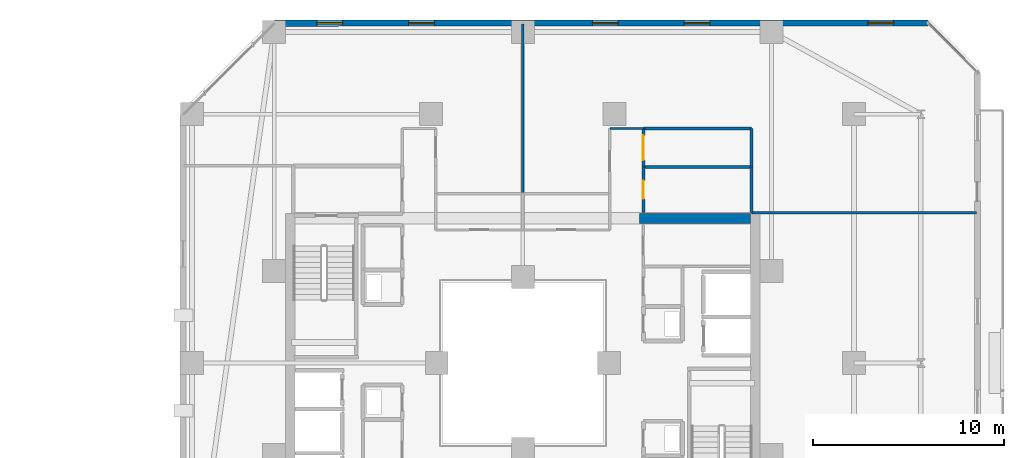
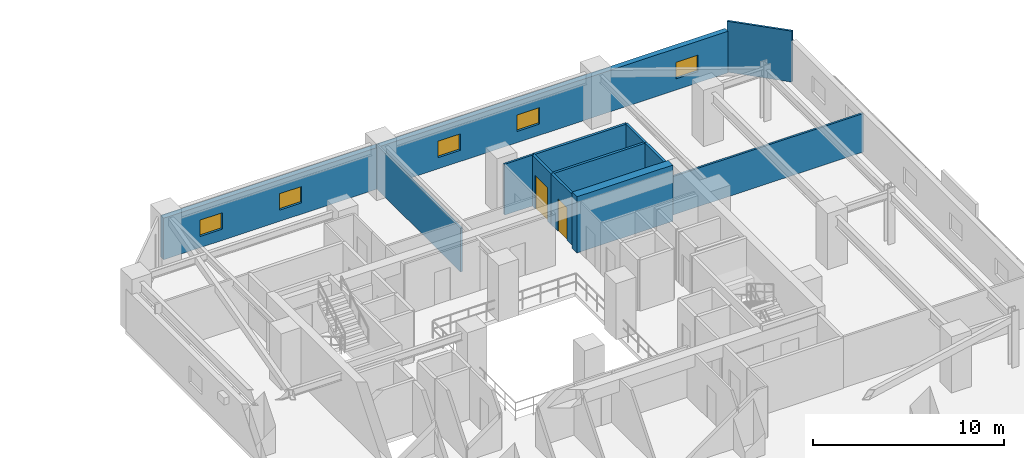
# One storey, part 25 of 34: 12 walls, 5 windows, 2 doors, 7 openings.
"""IFC4 building model written with IfcOpenShell, lengths in metres."""

from ifc_helpers import new_model, si_unit, direction, frame, frame_2d, origin, place, context, subcontext, project, spatial, rectangle, extrude, material, layer, layer_set, type_object, element, fill, save


model = new_model("IFC4")

# Units and contexts
model_context = context("Model", 3, precision=1e-05, world=origin(), true_north=direction((0.0, 1.0)))
body_context = subcontext(model_context, "Body", "Model", "MODEL_VIEW")
ifc_project = project(units=[si_unit("LENGTHUNIT", "METRE"), si_unit("AREAUNIT", "SQUARE_METRE"), si_unit("VOLUMEUNIT", "CUBIC_METRE"), si_unit("PLANEANGLEUNIT", "RADIAN"), si_unit("MASSUNIT", "GRAM", prefix="KILO")], contexts=[model_context])

# Site, building, storey
site_placement = place(None, origin())
site = spatial("IfcSite", under=ifc_project, at=site_placement, CompositionType="ELEMENT")
building_placement = place(site_placement, origin())
building = spatial("IfcBuilding", under=site, at=building_placement, Name="Thornwick Lancets Civic Towers", CompositionType="ELEMENT")
storey_placement = place(building_placement, frame((0.0, 0.0, 137.699951171875)))
storey = spatial("IfcBuildingStorey", under=building, at=storey_placement, Name="L36", CompositionType="ELEMENT", Elevation=137.699951171875)

# Wall
ifc_material_1 = material(Name="Concrete C50/60", Category="concrete")
ifc_layer_1 = layer(ifc_material_1, 0.5, Name="Concrete C50/60")
ifc_layer_set_1 = layer_set([ifc_layer_1], Name="Concrete C50/60")
wall_type_1 = type_object("IfcWallType", Name="WALL_CORE_500", PredefinedType="SHEAR", material=ifc_layer_set_1)
wall_1_placement = place(storey_placement, frame((94.60009765625, 34.550048828125, 0.0), z_axis=(0.0, 0.0, 1.0), x_axis=(1.0, 0.0, 0.0)))
element("IfcWall", 1, at=wall_1_placement, inside=storey, type_object=wall_type_1, Name="L36 Split Core B1 Shear Wall N", PredefinedType="SHEAR", context=body_context, shape_type="SweptSolid", body=[
    extrude(rectangle(XDim=5.7998046875, YDim=0.5, at=frame_2d((2.89990234375, 0.0))), origin(), (0.0, 0.0, 1.0), 3.60009765625),
])

# Wall, openings, windows
ifc_material_2 = material(Name="Insulated buff terracotta rainscreen on concrete C40/50", Category="masonry")
ifc_layer_2 = layer(ifc_material_2, 0.320068359375, Name="Insulated buff terracotta rainscreen on concrete C40/50")
ifc_layer_set_2 = layer_set([ifc_layer_2], Name="Insulated buff terracotta rainscreen on concrete C40/50")
wall_type_2 = type_object("IfcWallType", Name="WALL_EXT_TERRA_320", PredefinedType="STANDARD", material=ifc_layer_set_2)
wall_2_placement = place(storey_placement, frame((109.681396484375, 44.7646484375, 0.0), z_axis=(0.0, 0.0, 1.0), x_axis=(-0.99999997701, -0.000214431216, 0.0)))
wall_2 = element("IfcWall", 2, at=wall_2_placement, inside=storey, type_object=wall_type_2, Name="L36 Tower B Terracotta Facade Wall E4", PredefinedType="STANDARD", context=body_context, shape_type="SweptSolid", body=[
    extrude(rectangle(XDim=34.156494140625, YDim=0.320068359375, at=frame_2d((17.078125, 0.0))), origin(), (0.0, 0.0, 1.0), 2.66015625),
])
opening_1_placement = place(wall_2_placement, frame((1.800048828125, 0.0, 0.719970703125)))
opening_1 = element("IfcOpeningElement", 3, at=opening_1_placement, cuts=wall_2, Name="Opening WL-03", PredefinedType="OPENING", context=body_context, shape_type="SweptSolid", body=[
    extrude(rectangle(XDim=1.35009765625, YDim=1.050048828125, at=frame_2d((0.675048828125, 0.52490234375))), frame((0.0, 0.169921875, 0.0), z_axis=(0.0, -1.0, 0.0), x_axis=(1.0, 0.0, 0.0)), (0.0, 0.0, 1.0), 0.340087890625),
])
opening_2_placement = place(wall_2_placement, frame((11.39990234375, 0.0, 0.719970703125)))
opening_2 = element("IfcOpeningElement", 4, at=opening_2_placement, cuts=wall_2, Name="Opening WL-03", PredefinedType="OPENING", context=body_context, shape_type="SweptSolid", body=[
    extrude(rectangle(XDim=1.35009765625, YDim=1.050048828125, at=frame_2d((0.675048828125, 0.52490234375))), frame((0.0, 0.169921875, 0.0), z_axis=(0.0, -1.0, 0.0), x_axis=(1.0, 0.0, 0.0)), (0.0, 0.0, 1.0), 0.340087890625),
])
opening_3_placement = place(wall_2_placement, frame((16.199951171875, 0.0, 0.719970703125)))
opening_3 = element("IfcOpeningElement", 5, at=opening_3_placement, cuts=wall_2, Name="Opening WL-03", PredefinedType="OPENING", context=body_context, shape_type="SweptSolid", body=[
    extrude(rectangle(XDim=1.35009765625, YDim=1.050048828125, at=frame_2d((0.675048828125, 0.52490234375))), frame((0.0, 0.169921875, 0.0), z_axis=(0.0, -1.0, 0.0), x_axis=(1.0, 0.0, 0.0)), (0.0, 0.0, 1.0), 0.340087890625),
])
opening_4_placement = place(wall_2_placement, frame((25.800048828125, 0.0, 0.719970703125)))
opening_4 = element("IfcOpeningElement", 6, at=opening_4_placement, cuts=wall_2, Name="Opening WL-03", PredefinedType="OPENING", context=body_context, shape_type="SweptSolid", body=[
    extrude(rectangle(XDim=1.35009765625, YDim=1.050048828125, at=frame_2d((0.675048828125, 0.52490234375))), frame((0.0, 0.169921875, 0.0), z_axis=(0.0, -1.0, 0.0), x_axis=(1.0, 0.0, 0.0)), (0.0, 0.0, 1.0), 0.340087890625),
])
opening_5_placement = place(wall_2_placement, frame((30.60009765625, 0.0, 0.719970703125)))
opening_5 = element("IfcOpeningElement", 7, at=opening_5_placement, cuts=wall_2, Name="Opening WL-03", PredefinedType="OPENING", context=body_context, shape_type="SweptSolid", body=[
    extrude(rectangle(XDim=1.35009765625, YDim=1.050048828125, at=frame_2d((0.675048828125, 0.52490234375))), frame((0.0, 0.169921875, 0.0), z_axis=(0.0, -1.0, 0.0), x_axis=(1.0, 0.0, 0.0)), (0.0, 0.0, 1.0), 0.340087890625),
])
ifc_material_3 = material(Name="Clear low-e double glazing clerestory lancet", Category="glass")
window_type = type_object("IfcWindowType", Name="WIN_LANCET_1350", PartitioningType="SINGLE_PANEL", PredefinedType="WINDOW", material=ifc_material_3)
window_1_placement = place(opening_1_placement, origin())
window_1 = element("IfcWindow", 8, at=window_1_placement, inside=storey, type_object=window_type, Name="L36 Tower B Staggered Lancet Window E4-1", OverallHeight=1.050048828125, OverallWidth=1.35009765625, PartitioningType="SINGLE_PANEL", PredefinedType="WINDOW", context=body_context, shape_type="SweptSolid", body=[
    extrude(rectangle(XDim=1.35009765625, YDim=1.050048828125, at=frame_2d((0.675048828125, 0.52490234375))), frame((0.0, 0.030029296875, 0.0), z_axis=(0.0, -1.0, 0.0), x_axis=(1.0, 0.0, 0.0)), (0.0, 0.0, 1.0), 0.06005859375),
])
fill(opening_1, window_1)
window_2_placement = place(opening_2_placement, origin())
window_2 = element("IfcWindow", 9, at=window_2_placement, inside=storey, type_object=window_type, Name="L36 Tower B Staggered Lancet Window E4-2", OverallHeight=1.050048828125, OverallWidth=1.35009765625, PartitioningType="SINGLE_PANEL", PredefinedType="WINDOW", context=body_context, shape_type="SweptSolid", body=[
    extrude(rectangle(XDim=1.35009765625, YDim=1.050048828125, at=frame_2d((0.675048828125, 0.52490234375))), frame((0.0, 0.030029296875, 0.0), z_axis=(0.0, -1.0, 0.0), x_axis=(1.0, 0.0, 0.0)), (0.0, 0.0, 1.0), 0.06005859375),
])
fill(opening_2, window_2)
window_3_placement = place(opening_3_placement, origin())
window_3 = element("IfcWindow", 10, at=window_3_placement, inside=storey, type_object=window_type, Name="L36 Tower B Staggered Lancet Window E4-3", OverallHeight=1.050048828125, OverallWidth=1.35009765625, PartitioningType="SINGLE_PANEL", PredefinedType="WINDOW", context=body_context, shape_type="SweptSolid", body=[
    extrude(rectangle(XDim=1.35009765625, YDim=1.050048828125, at=frame_2d((0.675048828125, 0.52490234375))), frame((0.0, 0.030029296875, 0.0), z_axis=(0.0, -1.0, 0.0), x_axis=(1.0, 0.0, 0.0)), (0.0, 0.0, 1.0), 0.06005859375),
])
fill(opening_3, window_3)
window_4_placement = place(opening_4_placement, origin())
window_4 = element("IfcWindow", 11, at=window_4_placement, inside=storey, type_object=window_type, Name="L36 Tower B Staggered Lancet Window E4-4", OverallHeight=1.050048828125, OverallWidth=1.35009765625, PartitioningType="SINGLE_PANEL", PredefinedType="WINDOW", context=body_context, shape_type="SweptSolid", body=[
    extrude(rectangle(XDim=1.35009765625, YDim=1.050048828125, at=frame_2d((0.675048828125, 0.52490234375))), frame((0.0, 0.030029296875, 0.0), z_axis=(0.0, -1.0, 0.0), x_axis=(1.0, 0.0, 0.0)), (0.0, 0.0, 1.0), 0.06005859375),
])
fill(opening_4, window_4)
window_5_placement = place(opening_5_placement, origin())
window_5 = element("IfcWindow", 12, at=window_5_placement, inside=storey, type_object=window_type, Name="L36 Tower B Staggered Lancet Window E4-5", OverallHeight=1.050048828125, OverallWidth=1.35009765625, PartitioningType="SINGLE_PANEL", PredefinedType="WINDOW", context=body_context, shape_type="SweptSolid", body=[
    extrude(rectangle(XDim=1.35009765625, YDim=1.050048828125, at=frame_2d((0.675048828125, 0.52490234375))), frame((0.0, 0.030029296875, 0.0), z_axis=(0.0, -1.0, 0.0), x_axis=(1.0, 0.0, 0.0)), (0.0, 0.0, 1.0), 0.06005859375),
])
fill(opening_5, window_5)

# Walls
ifc_material_4 = material(Name="Acoustic gypsum board partition")
ifc_layer_3 = layer(ifc_material_4, 0.1201171875, Name="Acoustic gypsum board partition")
ifc_layer_set_3 = layer_set([ifc_layer_3], Name="Acoustic gypsum board partition")
wall_type_3 = type_object("IfcWallType", Name="WALL_PART_120", PredefinedType="PARTITIONING", material=ifc_layer_set_3)
wall_3_placement = place(storey_placement, frame((94.800048828125, 39.25, 0.0), z_axis=(0.0, 0.0, 1.0), x_axis=(-1.0, 0.0, 0.0)))
element("IfcWall", 13, at=wall_3_placement, inside=storey, type_object=wall_type_3, Name="L36 Partition L36-B-E2 E4", PredefinedType="PARTITIONING", context=body_context, shape_type="SweptSolid", body=[
    extrude(rectangle(XDim=1.75, YDim=0.1201171875, at=frame_2d((0.875, 0.0))), origin(), (0.0, 0.0, 1.0), 3.260009765625),
])
wall_4_placement = place(storey_placement, frame((88.5, 35.85009765625, 0.0), z_axis=(0.0, 0.0, 1.0), x_axis=(0.0, 1.0, 0.0)))
element("IfcWall", 14, at=wall_4_placement, inside=storey, type_object=wall_type_3, Name="L36 Partition L36-B-E2 E7", PredefinedType="PARTITIONING", context=body_context, shape_type="SweptSolid", body=[
    extrude(rectangle(XDim=8.869873046875, YDim=0.1201171875, at=frame_2d((4.43505859375, 0.0))), origin(), (0.0, 0.0, 1.0), 2.8017578125),
])
wall_5_placement = place(storey_placement, frame((109.725341796875, 44.719970703125, 0.0), z_axis=(0.0, 0.0, 1.0), x_axis=(0.707106781187, -0.707106781187, 0.0)))
element("IfcWall", 15, at=wall_5_placement, inside=storey, type_object=wall_type_3, Name="L36 Partition L36-B-E2 E9", PredefinedType="PARTITIONING", context=body_context, shape_type="SweptSolid", body=[
    extrude(rectangle(XDim=3.52783203125, YDim=0.1201171875, at=frame_2d((1.763916015625, 0.0))), origin(), (0.0, 0.0, 1.0), 3.260009765625),
])
wall_6_placement = place(storey_placement, frame((112.219970703125, 34.85009765625, 0.0), z_axis=(0.0, 0.0, 1.0), x_axis=(-1.0, 0.0, 0.0)))
element("IfcWall", 16, at=wall_6_placement, inside=storey, type_object=wall_type_3, Name="L36 Partition L36-B-E2 E11", PredefinedType="PARTITIONING", context=body_context, shape_type="SweptSolid", body=[
    extrude(rectangle(XDim=11.77001953125, YDim=0.1201171875, at=frame_2d((5.885009765625, 0.0))), origin(), (0.0, 0.0, 1.0), 2.465087890625),
])
ifc_material_5 = material(Name="Twin-stud acoustic gypsum board")
ifc_layer_4 = layer(ifc_material_5, 0.14990234375, Name="Twin-stud acoustic gypsum board")
ifc_layer_set_4 = layer_set([ifc_layer_4], Name="Twin-stud acoustic gypsum board")
wall_type_4 = type_object("IfcWallType", Name="WALL_PART_150", PredefinedType="PARTITIONING", material=ifc_layer_set_4)
wall_7_placement = place(storey_placement, frame((100.449951171875, 37.25, 0.0), z_axis=(0.0, 0.0, 1.0), x_axis=(0.0, -1.0, 0.0)))
element("IfcWall", 17, at=wall_7_placement, inside=storey, type_object=wall_type_4, Name="L36 Partition L36-B-RECLAIM-L1 E1", PredefinedType="PARTITIONING", context=body_context, shape_type="SweptSolid", body=[
    extrude(rectangle(XDim=2.39990234375, YDim=0.14990234375, at=frame_2d((1.199951171875, 0.0))), origin(), (0.0, 0.0, 1.0), 3.260009765625),
])

# Wall, opening, door
wall_8_placement = place(storey_placement, frame((94.800048828125, 34.85009765625, 0.0), z_axis=(0.0, 0.0, 1.0), x_axis=(0.0, 1.0, 0.0)))
wall_8 = element("IfcWall", 18, at=wall_8_placement, inside=storey, type_object=wall_type_4, Name="L36 Partition L36-B-RECLAIM-L1 E3", PredefinedType="PARTITIONING", context=body_context, shape_type="SweptSolid", body=[
    extrude(rectangle(XDim=2.39990234375, YDim=0.14990234375, at=frame_2d((1.199951171875, 0.0))), origin(), (0.0, 0.0, 1.0), 3.260009765625),
])
opening_6_placement = place(wall_8_placement, frame((0.72509765625, 0.0, 0.0)))
opening_6 = element("IfcOpeningElement", 19, at=opening_6_placement, cuts=wall_8, Name="Opening D-L36-1653", PredefinedType="OPENING", context=body_context, shape_type="SweptSolid", body=[
    extrude(rectangle(XDim=0.949951171875, YDim=2.10009765625, at=frame_2d((0.47509765625, 1.050048828125))), frame((0.0, 0.0849609375, 0.0), z_axis=(0.0, -1.0, 0.0), x_axis=(1.0, 0.0, 0.0)), (0.0, 0.0, 1.0), 0.169921875),
])
ifc_material_6 = material(Name="European oak acoustic doorset")
door_type_1 = type_object("IfcDoorType", Name="DOOR_OFFICE_950", OperationType="NOTDEFINED", PredefinedType="DOOR", material=ifc_material_6)
door_1_placement = place(opening_6_placement, origin())
door_1 = element("IfcDoor", 20, at=door_1_placement, inside=storey, type_object=door_type_1, Name="L36 Tower B Policy Archive Door", OperationType="SINGLE_SWING_RIGHT", OverallHeight=2.10009765625, OverallWidth=0.949951171875, PredefinedType="DOOR", context=body_context, shape_type="SweptSolid", body=[
    extrude(rectangle(XDim=0.949951171875, YDim=2.10009765625, at=frame_2d((0.47509765625, 1.050048828125))), frame((0.0, 0.02490234375, 0.0), z_axis=(0.0, -1.0, 0.0), x_axis=(1.0, 0.0, 0.0)), (0.0, 0.0, 1.0), 0.050048828125),
])
fill(opening_6, door_1)

# Wall
wall_9_placement = place(storey_placement, frame((94.800048828125, 37.25, 0.0), z_axis=(0.0, 0.0, 1.0), x_axis=(1.0, 0.0, 0.0)))
element("IfcWall", 21, at=wall_9_placement, inside=storey, type_object=wall_type_4, Name="L36 Partition L36-B-RECLAIM-L1 E4", PredefinedType="PARTITIONING", context=body_context, shape_type="SweptSolid", body=[
    extrude(rectangle(XDim=5.64990234375, YDim=0.14990234375, at=frame_2d((2.824951171875, 0.0))), origin(), (0.0, 0.0, 1.0), 3.260009765625),
])

# Wall, opening, door
wall_10_placement = place(storey_placement, frame((94.800048828125, 37.25, 0.0), z_axis=(0.0, 0.0, 1.0), x_axis=(0.0, 1.0, 0.0)))
wall_10 = element("IfcWall", 22, at=wall_10_placement, inside=storey, type_object=wall_type_4, Name="L36 Partition L36-B-RECLAIM-L2 E1", PredefinedType="PARTITIONING", context=body_context, shape_type="SweptSolid", body=[
    extrude(rectangle(XDim=2.0, YDim=0.14990234375, at=frame_2d((1.0, 0.0))), origin(), (0.0, 0.0, 1.0), 3.260009765625),
])
opening_7_placement = place(wall_10_placement, frame((0.35009765625, 0.0, 0.0)))
opening_7 = element("IfcOpeningElement", 23, at=opening_7_placement, cuts=wall_10, Name="Opening D-L36-1654", PredefinedType="OPENING", context=body_context, shape_type="SweptSolid", body=[
    extrude(rectangle(XDim=1.300048828125, YDim=2.1201171875, at=frame_2d((0.64990234375, 1.06005859375))), frame((0.0, 0.0849609375, 0.0), z_axis=(0.0, -1.0, 0.0), x_axis=(1.0, 0.0, 0.0)), (0.0, 0.0, 1.0), 0.169921875),
])
ifc_material_7 = material(Name="Acoustic oak leaf-and-a-half doorset")
door_type_2 = type_object("IfcDoorType", Name="DOOR_MEET_1300", OperationType="DOUBLE_DOOR_SINGLE_SWING", PredefinedType="DOOR", material=ifc_material_7)
door_2_placement = place(opening_7_placement, origin())
door_2 = element("IfcDoor", 24, at=door_2_placement, inside=storey, type_object=door_type_2, Name="L36 Tower B Ministerial Consultation Room Door", OperationType="DOUBLE_DOOR_SINGLE_SWING", OverallHeight=2.1201171875, OverallWidth=1.300048828125, PredefinedType="DOOR", context=body_context, shape_type="SweptSolid", body=[
    extrude(rectangle(XDim=1.300048828125, YDim=2.1201171875, at=frame_2d((0.64990234375, 1.06005859375))), frame((0.0, 0.02490234375, 0.0), z_axis=(0.0, -1.0, 0.0), x_axis=(1.0, 0.0, 0.0)), (0.0, 0.0, 1.0), 0.050048828125),
])
fill(opening_7, door_2)

# Walls
wall_11_placement = place(storey_placement, frame((94.800048828125, 39.25, 0.0), z_axis=(0.0, 0.0, 1.0), x_axis=(1.0, 0.0, 0.0)))
element("IfcWall", 25, at=wall_11_placement, inside=storey, type_object=wall_type_4, Name="L36 Partition L36-B-RECLAIM-L2 E2", PredefinedType="PARTITIONING", context=body_context, shape_type="SweptSolid", body=[
    extrude(rectangle(XDim=5.64990234375, YDim=0.14990234375, at=frame_2d((2.824951171875, 0.0))), origin(), (0.0, 0.0, 1.0), 3.260009765625),
])
wall_12_placement = place(storey_placement, frame((100.449951171875, 39.25, 0.0), z_axis=(0.0, 0.0, 1.0), x_axis=(0.0, -1.0, 0.0)))
element("IfcWall", 26, at=wall_12_placement, inside=storey, type_object=wall_type_4, Name="L36 Partition L36-B-RECLAIM-L2 E3", PredefinedType="PARTITIONING", context=body_context, shape_type="SweptSolid", body=[
    extrude(rectangle(XDim=2.0, YDim=0.14990234375, at=frame_2d((1.0, 0.0))), origin(), (0.0, 0.0, 1.0), 3.260009765625),
])

save(model, "model.ifc")
